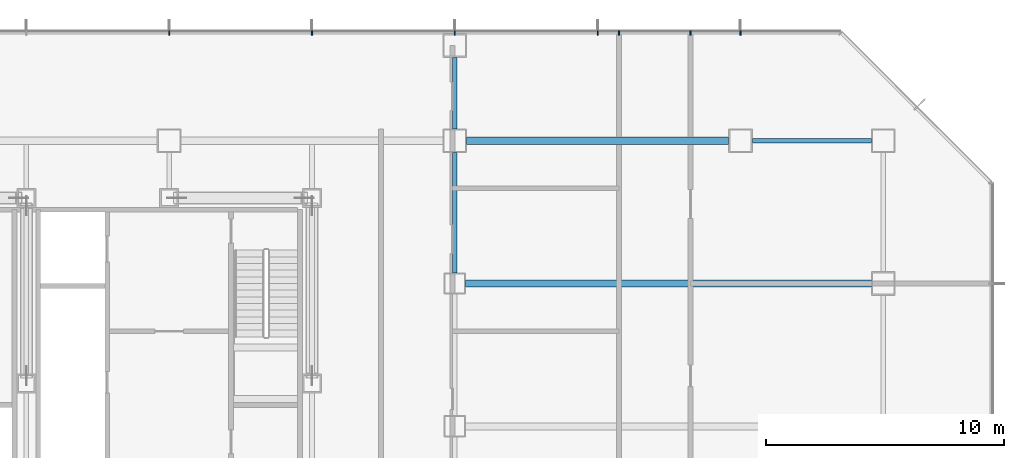
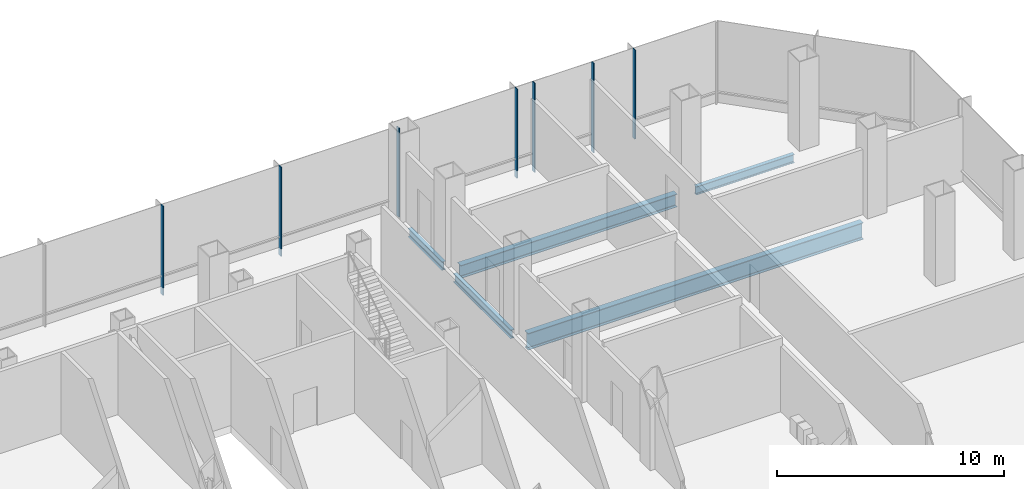
# One storey, part 16 of 33: 7 members, 5 beams, 1 element without a shape of its own.
"""IFC4 building model written with IfcOpenShell, lengths in metres."""

from ifc_helpers import new_model, si_unit, direction, frame, origin, origin_2d, place, context, subcontext, project, spatial, rectangle, i_section, extrude, material, material_profile, profile_set, type_object, element, aggregate, save


model = new_model("IFC4")

# Units and contexts
model_context = context("Model", 3, precision=1e-05, world=origin(), true_north=direction((0.0, 1.0)))
body_context = subcontext(model_context, "Body", "Model", "MODEL_VIEW")
ifc_project = project(units=[si_unit("LENGTHUNIT", "METRE"), si_unit("AREAUNIT", "SQUARE_METRE"), si_unit("VOLUMEUNIT", "CUBIC_METRE"), si_unit("PLANEANGLEUNIT", "RADIAN"), si_unit("MASSUNIT", "GRAM", prefix="KILO")], contexts=[model_context])

# Site, building, storey
site_placement = place(None, origin())
site = spatial("IfcSite", under=ifc_project, at=site_placement, CompositionType="ELEMENT")
building_placement = place(site_placement, origin())
building = spatial("IfcBuilding", under=site, at=building_placement, Name="Sorahane Residences", CompositionType="ELEMENT")
storey_placement = place(building_placement, frame((0.0, 0.0, 30.0)))
storey = spatial("IfcBuildingStorey", under=building, at=storey_placement, Name="L04", CompositionType="ELEMENT", Elevation=30.0)

# Curtain wall, members
ifc_material_1 = material(Name="Dark low-e glass and black anodised aluminium", Category="aluminium")
curtain_wall_type = type_object("IfcCurtainWallType", Name="Curtain wall CW-3 Podium unitised wall", PredefinedType="NOTDEFINED", material=ifc_material_1)
curtain_wall_placement = place(storey_placement, origin())
curtain_wall = element("IfcCurtainWall", 1, at=curtain_wall_placement, inside=storey, type_object=curtain_wall_type, Name="CW-3 curtain wall L04 N1", PredefinedType="NOTDEFINED")
ifc_material_2 = material(Name="Black anodised aluminium", Category="aluminium")
ifc_material_profile_1 = material_profile(ifc_material_2, rectangle(XDim=0.199951171875, YDim=0.050048828125, at=origin_2d()), Name="Curtain wall mullion CW-3 black anodised aluminium 50x200")
ifc_profile_set_1 = profile_set([ifc_material_profile_1], Name="Black anodised aluminium")
member_type = type_object("IfcMemberType", Name="Curtain wall mullion CW-3 black anodised aluminium 50x200", PredefinedType="MULLION", material=ifc_profile_set_1)
member_1_placement = place(storey_placement, frame((60.0, 52.52001953125, -0.39990234375), z_axis=(0.0, 0.0, 1.0), x_axis=(0.0, 1.0, 0.0)))
member_1 = element("IfcMember", 2, at=member_1_placement, type_object=member_type, Name="CW-3 mullion L04 N1.2", PredefinedType="MULLION", context=body_context, shape_type="SweptSolid", body=[
    extrude(rectangle(XDim=0.199951171875, YDim=0.050048828125, at=origin_2d()), origin(), (0.0, 0.0, 1.0), 4.7998046875),
])
member_2_placement = place(storey_placement, frame((57.89990234375, 52.52001953125, -0.39990234375), z_axis=(0.0, 0.0, 1.0), x_axis=(0.0, 1.0, 0.0)))
member_2 = element("IfcMember", 3, at=member_2_placement, type_object=member_type, Name="CW-3 mullion L04 N1.3", PredefinedType="MULLION", context=body_context, shape_type="SweptSolid", body=[
    extrude(rectangle(XDim=0.199951171875, YDim=0.050048828125, at=origin_2d()), origin(), (0.0, 0.0, 1.0), 4.7998046875),
])
member_3_placement = place(storey_placement, frame((54.89990234375, 52.52001953125, -0.39990234375), z_axis=(0.0, 0.0, 1.0), x_axis=(0.0, 1.0, 0.0)))
member_3 = element("IfcMember", 4, at=member_3_placement, type_object=member_type, Name="CW-3 mullion L04 N1.4", PredefinedType="MULLION", context=body_context, shape_type="SweptSolid", body=[
    extrude(rectangle(XDim=0.199951171875, YDim=0.050048828125, at=origin_2d()), origin(), (0.0, 0.0, 1.0), 4.7998046875),
])
member_4_placement = place(storey_placement, frame((54.0, 52.52001953125, -0.39990234375), z_axis=(0.0, 0.0, 1.0), x_axis=(0.0, 1.0, 0.0)))
member_4 = element("IfcMember", 5, at=member_4_placement, type_object=member_type, Name="CW-3 mullion L04 N1.5", PredefinedType="MULLION", context=body_context, shape_type="SweptSolid", body=[
    extrude(rectangle(XDim=0.199951171875, YDim=0.050048828125, at=origin_2d()), origin(), (0.0, 0.0, 1.0), 4.7998046875),
])
member_5_placement = place(storey_placement, frame((48.0, 52.52001953125, -0.39990234375), z_axis=(0.0, 0.0, 1.0), x_axis=(0.0, 1.0, 0.0)))
member_5 = element("IfcMember", 6, at=member_5_placement, type_object=member_type, Name="CW-3 mullion L04 N1.6", PredefinedType="MULLION", context=body_context, shape_type="SweptSolid", body=[
    extrude(rectangle(XDim=0.199951171875, YDim=0.050048828125, at=origin_2d()), origin(), (0.0, 0.0, 1.0), 4.7998046875),
])
member_6_placement = place(storey_placement, frame((42.0, 52.52001953125, -0.39990234375), z_axis=(0.0, 0.0, 1.0), x_axis=(0.0, 1.0, 0.0)))
member_6 = element("IfcMember", 7, at=member_6_placement, type_object=member_type, Name="CW-3 mullion L04 N1.7", PredefinedType="MULLION", context=body_context, shape_type="SweptSolid", body=[
    extrude(rectangle(XDim=0.199951171875, YDim=0.050048828125, at=origin_2d()), origin(), (0.0, 0.0, 1.0), 4.7998046875),
])
member_7_placement = place(storey_placement, frame((36.0, 52.52001953125, -0.39990234375), z_axis=(0.0, 0.0, 1.0), x_axis=(0.0, 1.0, 0.0)))
member_7 = element("IfcMember", 8, at=member_7_placement, type_object=member_type, Name="CW-3 mullion L04 N1.8", PredefinedType="MULLION", context=body_context, shape_type="SweptSolid", body=[
    extrude(rectangle(XDim=0.199951171875, YDim=0.050048828125, at=origin_2d()), origin(), (0.0, 0.0, 1.0), 4.7998046875),
])
aggregate(curtain_wall, [member_1, member_2, member_3, member_4, member_5, member_6, member_7])

# Beams
ifc_material_3 = material(Name="Steel Q355B", Category="steel")
ifc_material_profile_2 = material_profile(ifc_material_3, i_section(OverallWidth=0.199951171875, OverallDepth=0.449951171875, WebThickness=0.009033203125, FlangeThickness=0.013916015625, FilletRadius=0.02001953125, at=origin_2d()), Name="HN 450x200x9x14")
ifc_profile_set_2 = profile_set([ifc_material_profile_2], Name="Steel Q355B")
beam_type_1 = type_object("IfcBeamType", Name="Steel floor beam HN 450x200x9x14 Q355B", PredefinedType="BEAM", material=ifc_profile_set_2)
beam_1_placement = place(storey_placement, frame((60.5, 48.0, -0.625), z_axis=(1.0, 0.0, 0.0), x_axis=(0.0, 1.0, 0.0)))
element("IfcBeam", 9, at=beam_1_placement, inside=storey, type_object=beam_type_1, Name="Beam L04 023", PredefinedType="BEAM", context=body_context, shape_type="SweptSolid", body=[
    extrude(i_section(OverallWidth=0.199951171875, OverallDepth=0.449951171875, WebThickness=0.009033203125, FlangeThickness=0.013916015625, FilletRadius=0.02001953125, at=origin_2d()), origin(), (0.0, 0.0, 1.0), 5.0),
])
beam_2_placement = place(storey_placement, frame((48.0, 42.449951171875, -0.625), z_axis=(0.0, 1.0, 0.0), x_axis=(-1.0, 0.0, 0.0)))
element("IfcBeam", 10, at=beam_2_placement, inside=storey, type_object=beam_type_1, Name="Beam L04 068", PredefinedType="BEAM", context=body_context, shape_type="SweptSolid", body=[
    extrude(i_section(OverallWidth=0.199951171875, OverallDepth=0.449951171875, WebThickness=0.009033203125, FlangeThickness=0.013916015625, FilletRadius=0.02001953125, at=origin_2d()), origin(), (0.0, 0.0, 1.0), 5.050048828125),
])
beam_3_placement = place(storey_placement, frame((48.0, 48.5, -0.625), z_axis=(0.0, 1.0, 0.0), x_axis=(-1.0, 0.0, 0.0)))
element("IfcBeam", 11, at=beam_3_placement, inside=storey, type_object=beam_type_1, Name="Beam L04 069", PredefinedType="BEAM", context=body_context, shape_type="SweptSolid", body=[
    extrude(i_section(OverallWidth=0.199951171875, OverallDepth=0.449951171875, WebThickness=0.009033203125, FlangeThickness=0.013916015625, FilletRadius=0.02001953125, at=origin_2d()), origin(), (0.0, 0.0, 1.0), 3.0),
])
ifc_material_4 = material(Name="Steel Q355B", Category="steel")
ifc_material_profile_3 = material_profile(ifc_material_4, i_section(OverallWidth=0.300048828125, OverallDepth=0.699951171875, WebThickness=0.012939453125, FlangeThickness=0.02392578125, FilletRadius=0.028076171875, at=origin_2d()), Name="HN 700x300x13x24")
ifc_profile_set_3 = profile_set([ifc_material_profile_3], Name="Steel Q355B")
beam_type_2 = type_object("IfcBeamType", Name="Steel floor beam HN 700x300x13x24 Q355B", PredefinedType="BEAM", material=ifc_profile_set_3)
beam_4_placement = place(storey_placement, frame((48.5, 48.0, -0.75), z_axis=(1.0, 0.0, 0.0), x_axis=(0.0, 1.0, 0.0)))
element("IfcBeam", 12, at=beam_4_placement, inside=storey, type_object=beam_type_2, Name="Beam L04 022", PredefinedType="BEAM", context=body_context, shape_type="SweptSolid", body=[
    extrude(i_section(OverallWidth=0.300048828125, OverallDepth=0.699951171875, WebThickness=0.012939453125, FlangeThickness=0.02392578125, FilletRadius=0.028076171875, at=origin_2d()), origin(), (0.0, 0.0, 1.0), 11.0),
])
ifc_material_5 = material(Name="Steel Q355B", Category="steel")
ifc_material_profile_4 = material_profile(ifc_material_5, i_section(OverallWidth=0.300048828125, OverallDepth=0.89990234375, WebThickness=0.01611328125, FlangeThickness=0.028076171875, FilletRadius=0.028076171875, at=origin_2d()), Name="HN 900x300x16x28")
ifc_profile_set_4 = profile_set([ifc_material_profile_4], Name="Steel Q355B")
beam_type_3 = type_object("IfcBeamType", Name="Steel floor beam HN 900x300x16x28 Q355B", PredefinedType="BEAM", material=ifc_profile_set_4)
beam_5_placement = place(storey_placement, frame((48.4501953125, 42.0, -0.85009765625), z_axis=(1.0, 0.0, 0.0), x_axis=(0.0, 1.0, 0.0)))
element("IfcBeam", 13, at=beam_5_placement, inside=storey, type_object=beam_type_3, Name="Beam L04 086", PredefinedType="BEAM", context=body_context, shape_type="SweptSolid", body=[
    extrude(i_section(OverallWidth=0.300048828125, OverallDepth=0.89990234375, WebThickness=0.01611328125, FlangeThickness=0.028076171875, FilletRadius=0.028076171875, at=origin_2d()), origin(), (0.0, 0.0, 1.0), 17.049560546875),
])

save(model, "model.ifc")
